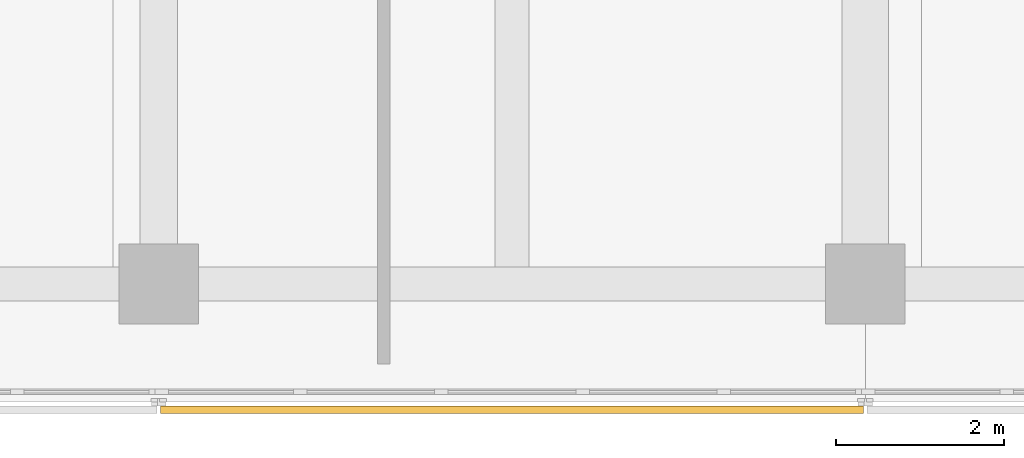
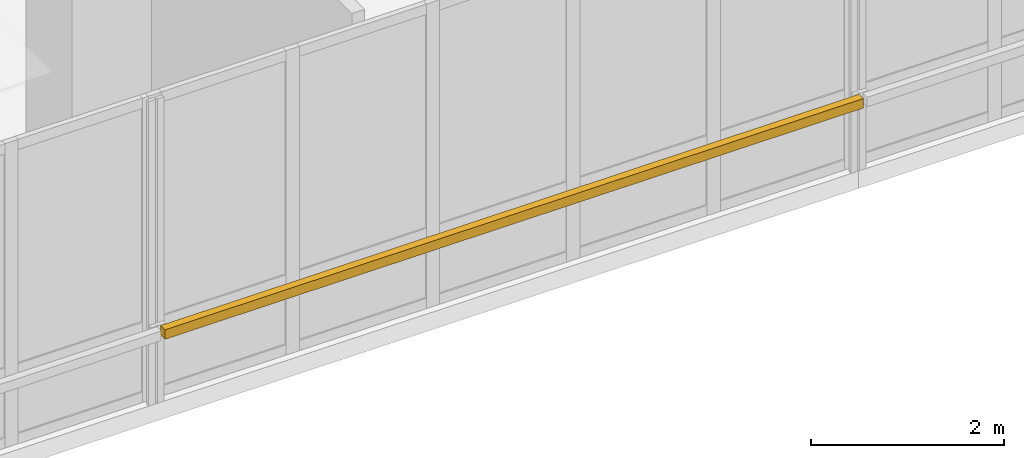
# One storey, part 92 of 122: 1 shading device.
"""IFC4 building model written with IfcOpenShell, lengths in metres."""

from ifc_helpers import new_model, si_unit, direction, frame, origin, origin_2d, place, context, subcontext, project, spatial, rectangle, extrude, material, layer, layer_set, type_object, element, save


model = new_model("IFC4")

# Units and contexts
model_context = context("Model", 3, precision=1e-05, world=origin(), true_north=direction((0.0, 1.0)))
body_context = subcontext(model_context, "Body", "Model", "MODEL_VIEW")
ifc_project = project(units=[si_unit("LENGTHUNIT", "METRE"), si_unit("AREAUNIT", "SQUARE_METRE"), si_unit("VOLUMEUNIT", "CUBIC_METRE"), si_unit("PLANEANGLEUNIT", "RADIAN"), si_unit("MASSUNIT", "GRAM", prefix="KILO")], contexts=[model_context])

# Site, building, storey
site_placement = place(None, origin())
site = spatial("IfcSite", under=ifc_project, at=site_placement, CompositionType="ELEMENT")
building_placement = place(site_placement, origin())
building = spatial("IfcBuilding", under=site, at=building_placement, Name="Telukmera Botanical Conservatory", CompositionType="ELEMENT")
storey_placement = place(building_placement, frame((0.0, 0.0, 10.199951171875)))
storey = spatial("IfcBuildingStorey", under=building, at=storey_placement, Name="L02", CompositionType="ELEMENT", Elevation=10.199951171875)

# Shading device
ifc_material = material(Name="Perforated terracotta-anodised aluminium 6063-T6", Category="masonry")
ifc_layer = layer(ifc_material, 0.044921875)
ifc_layer_set = layer_set([ifc_layer], Name="Perforated terracotta-anodised aluminium 6063-T6")
shading_device_type = type_object("IfcShadingDeviceType", Name="Perforated Terracotta Aluminium Monsoon Brise Soleil", PredefinedType="JALOUSIE", material=ifc_layer_set)
shading_device_placement = place(storey_placement, frame((71.39990234375, 9.10498046875, 0.889892578125), z_axis=(0.0, 0.0, 1.0), x_axis=(1.0, 0.0, 0.0)))
element("IfcShadingDevice", 1, at=shading_device_placement, inside=storey, type_object=shading_device_type, Name="Monsoon Shading BS01 V4:L02:S3", PredefinedType="JALOUSIE", context=body_context, shape_type="SweptSolid", body=[
    extrude(rectangle(XDim=8.35595703125, YDim=0.090087890625, at=origin_2d()), origin(), (0.0, 0.0, 1.0), 0.1201171875),
])

save(model, "model.ifc")
